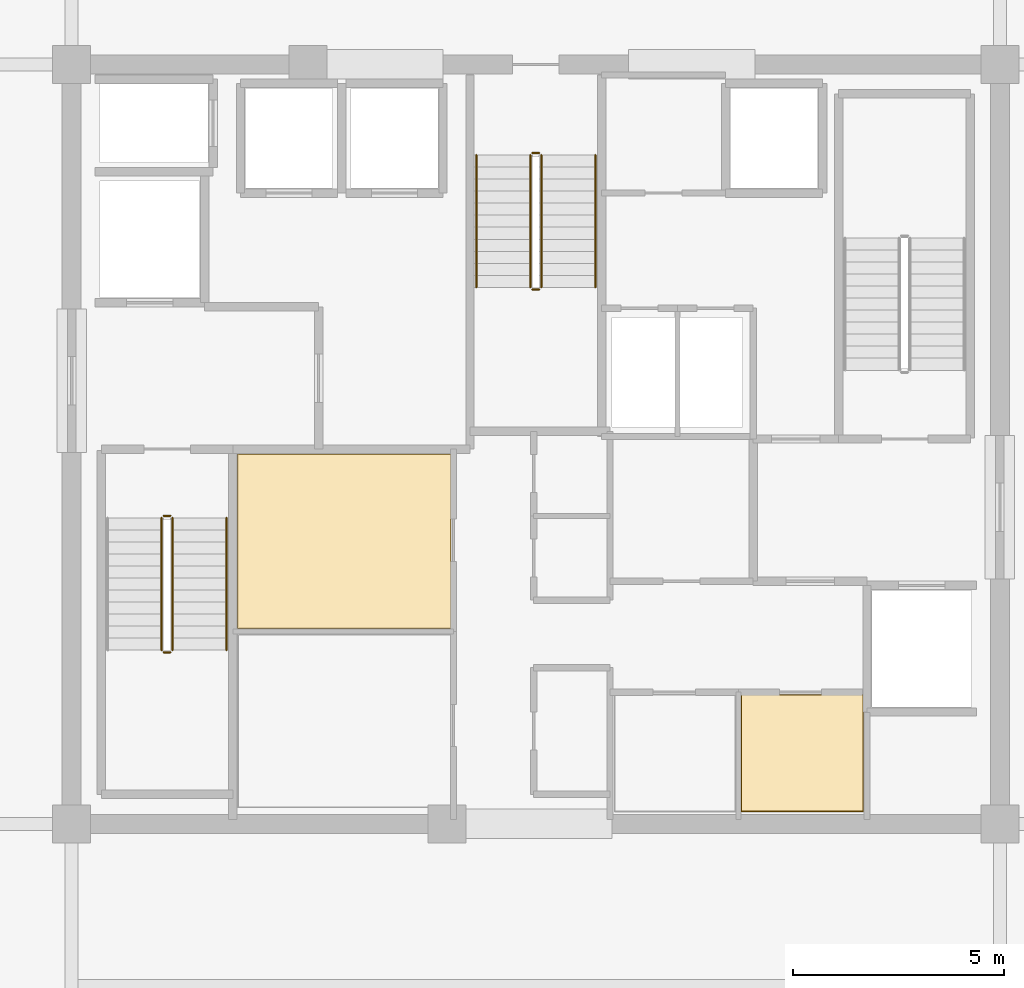
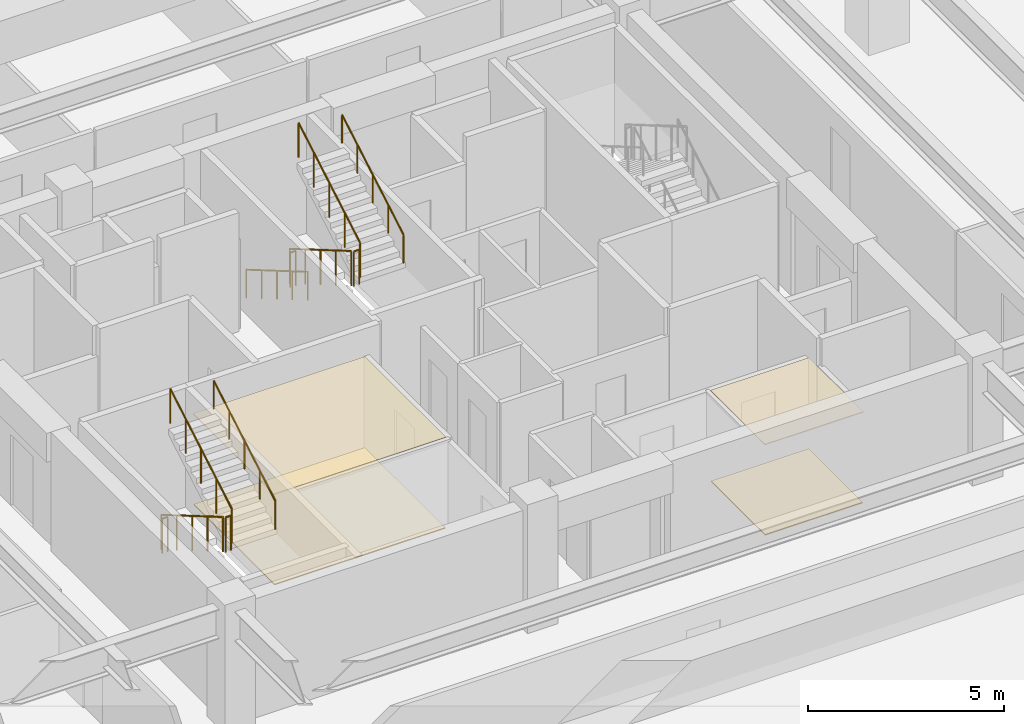
# One storey, part 18 of 20: 11 railings, 4 coverings.
"""IFC4 building model written with IfcOpenShell, lengths in metres."""

from ifc_helpers import new_model, si_unit, direction, frame, origin, origin_2d, place, context, subcontext, project, spatial, polyline, circle, outline, extrude, material, layer, layer_set, type_object, element, save


model = new_model("IFC4")

# Units and contexts
model_context = context("Model", 3, precision=1e-05, world=origin(), true_north=direction((0.0, 1.0)))
body_context = subcontext(model_context, "Body", "Model", "MODEL_VIEW")
ifc_project = project(units=[si_unit("LENGTHUNIT", "METRE"), si_unit("AREAUNIT", "SQUARE_METRE"), si_unit("VOLUMEUNIT", "CUBIC_METRE"), si_unit("PLANEANGLEUNIT", "RADIAN"), si_unit("MASSUNIT", "GRAM", prefix="KILO")], contexts=[model_context])

# Site, building, storey
site_placement = place(None, origin())
site = spatial("IfcSite", under=ifc_project, at=site_placement, CompositionType="ELEMENT")
building_placement = place(site_placement, origin())
building = spatial("IfcBuilding", under=site, at=building_placement, Name="Kovane Verandah Tower", CompositionType="ELEMENT")
storey_placement = place(building_placement, frame((0.0, 0.0, 291.199951171875)))
storey = spatial("IfcBuildingStorey", under=building, at=storey_placement, Name="L68", CompositionType="ELEMENT", Elevation=291.199951171875)

# Coverings
ifc_material_1 = material(Name="Perforated Acoustic Mineral-Fibre Ceiling Tile", Category="gypsum")
ifc_layer_1 = layer(ifc_material_1, 0.02490234375)
ifc_layer_set_1 = layer_set([ifc_layer_1], Name="Perforated Acoustic Mineral-Fibre Ceiling Tile")
covering_type_1 = type_object("IfcCoveringType", Name="CV-CEIL-25", PredefinedType="CEILING", material=ifc_layer_set_1)
covering_1_placement = place(storey_placement, frame((0.0, 0.0, 2.824951171875)))
element("IfcCovering", 1, at=covering_1_placement, inside=storey, type_object=covering_type_1, Name="L68 Telecom MDF Room Acoustic Ceiling", PredefinedType="CEILING", context=body_context, shape_type="SweptSolid", body=[
    extrude(outline(polyline([(32.93505859375, 23.125), (37.9951171875, 23.125), (37.9951171875, 27.264892578125), (32.93505859375, 27.264892578125), (32.93505859375, 23.125)])), origin(), (0.0, 0.0, 1.0), 0.025146484375),
])
covering_2_placement = place(storey_placement, frame((0.0, 0.0, 2.824951171875)))
element("IfcCovering", 2, at=covering_2_placement, inside=storey, type_object=covering_type_1, Name="L68 East IT Server Room Acoustic Ceiling", PredefinedType="CEILING", context=body_context, shape_type="SweptSolid", body=[
    extrude(outline(polyline([(44.864990234375, 18.784912109375), (47.764892578125, 18.784912109375), (47.764892578125, 21.56494140625), (44.864990234375, 21.56494140625), (44.864990234375, 18.784912109375)])), origin(), (0.0, 0.0, 1.0), 0.025146484375),
])
ifc_material_2 = material(Name="Polished Terrazzo and Raised-Access Carpet Tile Finish", Category="concrete")
ifc_layer_2 = layer(ifc_material_2, 0.030029296875)
ifc_layer_set_2 = layer_set([ifc_layer_2], Name="Polished Terrazzo and Raised-Access Carpet Tile Finish")
covering_type_2 = type_object("IfcCoveringType", Name="CV-FLOR-30", PredefinedType="FLOORING", material=ifc_layer_set_2)
covering_3_placement = place(storey_placement, origin())
element("IfcCovering", 3, at=covering_3_placement, inside=storey, type_object=covering_type_2, Name="L68 Telecom MDF Room Floor Finish", PredefinedType="FLOORING", context=body_context, shape_type="SweptSolid", body=[
    extrude(outline(polyline([(32.949951171875, 23.139892578125), (37.97998046875, 23.139892578125), (37.97998046875, 27.25), (32.949951171875, 27.25), (32.949951171875, 23.139892578125)])), origin(), (0.0, 0.0, 1.0), 0.030029296875),
])
covering_4_placement = place(storey_placement, origin())
element("IfcCovering", 4, at=covering_4_placement, inside=storey, type_object=covering_type_2, Name="L68 East IT Server Room Floor Finish", PredefinedType="FLOORING", context=body_context, shape_type="SweptSolid", body=[
    extrude(outline(polyline([(44.8798828125, 18.800048828125), (47.75, 18.800048828125), (47.75, 21.550048828125), (44.8798828125, 21.550048828125), (44.8798828125, 18.800048828125)])), origin(), (0.0, 0.0, 1.0), 0.030029296875),
])

# Railings
ifc_material_3 = material(Name="Brushed Stainless Steel Handrail", Category="steel")
railing_type_1 = type_object("IfcRailingType", Name="RL-HAND-920", PredefinedType="HANDRAIL", material=ifc_material_3)
railing_1_placement = place(storey_placement, frame((32.669921875, 22.614990234375, 2.166748046875)))
element("IfcRailing", 5, at=railing_1_placement, inside=storey, type_object=railing_type_1, Name="L68 ST-01 stair handrail 2", PredefinedType="HANDRAIL", context=body_context, shape_type="SweptSolid", body=[
    extrude(circle(Radius=0.02392578125, at=origin_2d()), frame((0.0, 0.0, 0.8759765625), z_axis=(0.0, 0.863239559939, 0.504794475164), x_axis=(-1.0, 0.0, 0.0)), (0.0, 0.0, 1.0), 3.631591796875),
    extrude(circle(Radius=0.02099609375, at=origin_2d()), origin(), (0.0, 0.0, 1.0), 0.851806640625),
    extrude(circle(Radius=0.02099609375, at=origin_2d()), frame((0.0, 0.78369140625, 0.458251953125)), (0.0, 0.0, 1.0), 0.851806640625),
    extrude(circle(Radius=0.02099609375, at=origin_2d()), frame((0.0, 1.5673828125, 0.91650390625)), (0.0, 0.0, 1.0), 0.851806640625),
    extrude(circle(Radius=0.02099609375, at=origin_2d()), frame((0.0, 2.351318359375, 1.375)), (0.0, 0.0, 1.0), 0.851806640625),
    extrude(circle(Radius=0.02099609375, at=origin_2d()), frame((0.0, 3.135009765625, 1.833251953125)), (0.0, 0.0, 1.0), 0.851806640625),
])
railing_2_placement = place(storey_placement, frame((38.590087890625, 34.35009765625, 0.166748046875)))
element("IfcRailing", 6, at=railing_2_placement, inside=storey, type_object=railing_type_1, Name="L68 ST-03 stair handrail 1", PredefinedType="HANDRAIL", context=body_context, shape_type="SweptSolid", body=[
    extrude(circle(Radius=0.02392578125, at=origin_2d()), frame((0.0, 0.0, 0.8759765625), z_axis=(0.0, -0.863239559939, 0.504794475164), x_axis=(1.0, 0.0, 0.0)), (0.0, 0.0, 1.0), 3.631591796875),
    extrude(circle(Radius=0.02099609375, at=origin_2d()), origin(), (0.0, 0.0, 1.0), 0.851806640625),
    extrude(circle(Radius=0.02099609375, at=origin_2d()), frame((0.0, -0.78369140625, 0.458251953125)), (0.0, 0.0, 1.0), 0.851806640625),
    extrude(circle(Radius=0.02099609375, at=origin_2d()), frame((0.0, -1.5673828125, 0.91650390625)), (0.0, 0.0, 1.0), 0.851806640625),
    extrude(circle(Radius=0.02099609375, at=origin_2d()), frame((0.0, -2.351318359375, 1.375)), (0.0, 0.0, 1.0), 0.851806640625),
    extrude(circle(Radius=0.02099609375, at=origin_2d()), frame((0.0, -3.135009765625, 1.833251953125)), (0.0, 0.0, 1.0), 0.851806640625),
])
railing_3_placement = place(storey_placement, frame((41.409912109375, 31.215087890625, 2.166748046875)))
element("IfcRailing", 7, at=railing_3_placement, inside=storey, type_object=railing_type_1, Name="L68 ST-03 stair handrail 2", PredefinedType="HANDRAIL", context=body_context, shape_type="SweptSolid", body=[
    extrude(circle(Radius=0.02392578125, at=origin_2d()), frame((0.0, 0.0, 0.8759765625), z_axis=(0.0, 0.863239559939, 0.504794475164), x_axis=(-1.0, 0.0, 0.0)), (0.0, 0.0, 1.0), 3.631591796875),
    extrude(circle(Radius=0.02099609375, at=origin_2d()), origin(), (0.0, 0.0, 1.0), 0.851806640625),
    extrude(circle(Radius=0.02099609375, at=origin_2d()), frame((0.0, 0.78369140625, 0.458251953125)), (0.0, 0.0, 1.0), 0.851806640625),
    extrude(circle(Radius=0.02099609375, at=origin_2d()), frame((0.0, 1.5673828125, 0.91650390625)), (0.0, 0.0, 1.0), 0.851806640625),
    extrude(circle(Radius=0.02099609375, at=origin_2d()), frame((0.0, 2.351318359375, 1.375)), (0.0, 0.0, 1.0), 0.851806640625),
    extrude(circle(Radius=0.02099609375, at=origin_2d()), frame((0.0, 3.135009765625, 1.833251953125)), (0.0, 0.0, 1.0), 0.851806640625),
])
ifc_material_4 = material(Name="Painted Steel Stairwell Guardrail", Category="steel")
railing_type_2 = type_object("IfcRailingType", Name="RL-STGUARD-1120", PredefinedType="GUARDRAIL", material=ifc_material_4)
railing_4_placement = place(storey_placement, frame((31.1298828125, 25.75, 0.166748046875)))
element("IfcRailing", 8, at=railing_4_placement, inside=storey, type_object=railing_type_2, Name="L68 ST-01 stair guard 1", PredefinedType="GUARDRAIL", context=body_context, shape_type="SweptSolid", body=[
    extrude(circle(Radius=0.02392578125, at=origin_2d()), frame((0.0, 0.0, 1.076171875), z_axis=(0.0, -0.863239559939, 0.504794475164), x_axis=(1.0, 0.0, 0.0)), (0.0, 0.0, 1.0), 3.631591796875),
    extrude(circle(Radius=0.02099609375, at=origin_2d()), origin(), (0.0, 0.0, 1.0), 1.052001953125),
    extrude(circle(Radius=0.02099609375, at=origin_2d()), frame((0.0, -0.78369140625, 0.458251953125)), (0.0, 0.0, 1.0), 1.052001953125),
    extrude(circle(Radius=0.02099609375, at=origin_2d()), frame((0.0, -1.5673828125, 0.91650390625)), (0.0, 0.0, 1.0), 1.052001953125),
    extrude(circle(Radius=0.02099609375, at=origin_2d()), frame((0.0, -2.351318359375, 1.375)), (0.0, 0.0, 1.0), 1.052001953125),
    extrude(circle(Radius=0.02099609375, at=origin_2d()), frame((0.0, -3.135009765625, 1.833251953125)), (0.0, 0.0, 1.0), 1.052001953125),
])
railing_5_placement = place(storey_placement, frame((31.179931640625, 22.56494140625, 2.0)))
element("IfcRailing", 9, at=railing_5_placement, inside=storey, type_object=railing_type_2, Name="L68 ST-01 stair guard 2", PredefinedType="GUARDRAIL", context=body_context, shape_type="SweptSolid", body=[
    extrude(circle(Radius=0.02392578125, at=origin_2d()), frame((0.0, 0.0, 1.076171875), z_axis=(1.0, 0.0, 0.0), x_axis=(0.0, 1.0, 0.0)), (0.0, 0.0, 1.0), 0.16015625),
    extrude(circle(Radius=0.02099609375, at=origin_2d()), origin(), (0.0, 0.0, 1.0), 1.052001953125),
    extrude(circle(Radius=0.02099609375, at=origin_2d()), frame((0.16015625, 0.0, 0.0)), (0.0, 0.0, 1.0), 1.052001953125),
])
railing_6_placement = place(storey_placement, frame((31.389892578125, 22.614990234375, 2.166748046875)))
element("IfcRailing", 10, at=railing_6_placement, inside=storey, type_object=railing_type_2, Name="L68 ST-01 stair guard 3", PredefinedType="GUARDRAIL", context=body_context, shape_type="SweptSolid", body=[
    extrude(circle(Radius=0.02392578125, at=origin_2d()), frame((0.0, 0.0, 1.076171875), z_axis=(0.0, 0.863239559939, 0.504794475164), x_axis=(-1.0, 0.0, 0.0)), (0.0, 0.0, 1.0), 3.631591796875),
    extrude(circle(Radius=0.02099609375, at=origin_2d()), origin(), (0.0, 0.0, 1.0), 1.052001953125),
    extrude(circle(Radius=0.02099609375, at=origin_2d()), frame((0.0, 0.78369140625, 0.458251953125)), (0.0, 0.0, 1.0), 1.052001953125),
    extrude(circle(Radius=0.02099609375, at=origin_2d()), frame((0.0, 1.5673828125, 0.91650390625)), (0.0, 0.0, 1.0), 1.052001953125),
    extrude(circle(Radius=0.02099609375, at=origin_2d()), frame((0.0, 2.351318359375, 1.375)), (0.0, 0.0, 1.0), 1.052001953125),
    extrude(circle(Radius=0.02099609375, at=origin_2d()), frame((0.0, 3.135009765625, 1.833251953125)), (0.0, 0.0, 1.0), 1.052001953125),
])
railing_7_placement = place(storey_placement, frame((31.179931640625, 25.800048828125, 0.0)))
element("IfcRailing", 11, at=railing_7_placement, inside=storey, type_object=railing_type_2, Name="L68 ST-01 stair guard 4", PredefinedType="GUARDRAIL", context=body_context, shape_type="SweptSolid", body=[
    extrude(circle(Radius=0.02392578125, at=origin_2d()), frame((0.0, 0.0, 1.076171875), z_axis=(1.0, 0.0, 0.0), x_axis=(0.0, 1.0, 0.0)), (0.0, 0.0, 1.0), 0.16015625),
    extrude(circle(Radius=0.02099609375, at=origin_2d()), origin(), (0.0, 0.0, 1.0), 1.052001953125),
    extrude(circle(Radius=0.02099609375, at=origin_2d()), frame((0.16015625, 0.0, 0.0)), (0.0, 0.0, 1.0), 1.052001953125),
])
railing_8_placement = place(storey_placement, frame((39.8701171875, 34.35009765625, 0.166748046875)))
element("IfcRailing", 12, at=railing_8_placement, inside=storey, type_object=railing_type_2, Name="L68 ST-03 stair guard 1", PredefinedType="GUARDRAIL", context=body_context, shape_type="SweptSolid", body=[
    extrude(circle(Radius=0.02392578125, at=origin_2d()), frame((0.0, 0.0, 1.076171875), z_axis=(0.0, -0.863239559939, 0.504794475164), x_axis=(1.0, 0.0, 0.0)), (0.0, 0.0, 1.0), 3.631591796875),
    extrude(circle(Radius=0.02099609375, at=origin_2d()), origin(), (0.0, 0.0, 1.0), 1.052001953125),
    extrude(circle(Radius=0.02099609375, at=origin_2d()), frame((0.0, -0.78369140625, 0.458251953125)), (0.0, 0.0, 1.0), 1.052001953125),
    extrude(circle(Radius=0.02099609375, at=origin_2d()), frame((0.0, -1.5673828125, 0.91650390625)), (0.0, 0.0, 1.0), 1.052001953125),
    extrude(circle(Radius=0.02099609375, at=origin_2d()), frame((0.0, -2.351318359375, 1.375)), (0.0, 0.0, 1.0), 1.052001953125),
    extrude(circle(Radius=0.02099609375, at=origin_2d()), frame((0.0, -3.135009765625, 1.833251953125)), (0.0, 0.0, 1.0), 1.052001953125),
])
railing_9_placement = place(storey_placement, frame((39.919921875, 31.1650390625, 2.0)))
element("IfcRailing", 13, at=railing_9_placement, inside=storey, type_object=railing_type_2, Name="L68 ST-03 stair guard 2", PredefinedType="GUARDRAIL", context=body_context, shape_type="SweptSolid", body=[
    extrude(circle(Radius=0.02392578125, at=origin_2d()), frame((0.0, 0.0, 1.076171875), z_axis=(1.0, 0.0, 0.0), x_axis=(0.0, 1.0, 0.0)), (0.0, 0.0, 1.0), 0.16015625),
    extrude(circle(Radius=0.02099609375, at=origin_2d()), origin(), (0.0, 0.0, 1.0), 1.052001953125),
    extrude(circle(Radius=0.02099609375, at=origin_2d()), frame((0.16015625, 0.0, 0.0)), (0.0, 0.0, 1.0), 1.052001953125),
])
railing_10_placement = place(storey_placement, frame((40.1298828125, 31.215087890625, 2.166748046875)))
element("IfcRailing", 14, at=railing_10_placement, inside=storey, type_object=railing_type_2, Name="L68 ST-03 stair guard 3", PredefinedType="GUARDRAIL", context=body_context, shape_type="SweptSolid", body=[
    extrude(circle(Radius=0.02392578125, at=origin_2d()), frame((0.0, 0.0, 1.076171875), z_axis=(0.0, 0.863239559939, 0.504794475164), x_axis=(-1.0, 0.0, 0.0)), (0.0, 0.0, 1.0), 3.631591796875),
    extrude(circle(Radius=0.02099609375, at=origin_2d()), origin(), (0.0, 0.0, 1.0), 1.052001953125),
    extrude(circle(Radius=0.02099609375, at=origin_2d()), frame((0.0, 0.78369140625, 0.458251953125)), (0.0, 0.0, 1.0), 1.052001953125),
    extrude(circle(Radius=0.02099609375, at=origin_2d()), frame((0.0, 1.5673828125, 0.91650390625)), (0.0, 0.0, 1.0), 1.052001953125),
    extrude(circle(Radius=0.02099609375, at=origin_2d()), frame((0.0, 2.351318359375, 1.375)), (0.0, 0.0, 1.0), 1.052001953125),
    extrude(circle(Radius=0.02099609375, at=origin_2d()), frame((0.0, 3.135009765625, 1.833251953125)), (0.0, 0.0, 1.0), 1.052001953125),
])
railing_11_placement = place(storey_placement, frame((39.919921875, 34.39990234375, 0.0)))
element("IfcRailing", 15, at=railing_11_placement, inside=storey, type_object=railing_type_2, Name="L68 ST-03 stair guard 4", PredefinedType="GUARDRAIL", context=body_context, shape_type="SweptSolid", body=[
    extrude(circle(Radius=0.02392578125, at=origin_2d()), frame((0.0, 0.0, 1.076171875), z_axis=(1.0, 0.0, 0.0), x_axis=(0.0, 1.0, 0.0)), (0.0, 0.0, 1.0), 0.16015625),
    extrude(circle(Radius=0.02099609375, at=origin_2d()), origin(), (0.0, 0.0, 1.0), 1.052001953125),
    extrude(circle(Radius=0.02099609375, at=origin_2d()), frame((0.16015625, 0.0, 0.0)), (0.0, 0.0, 1.0), 1.052001953125),
])

save(model, "model.ifc")
